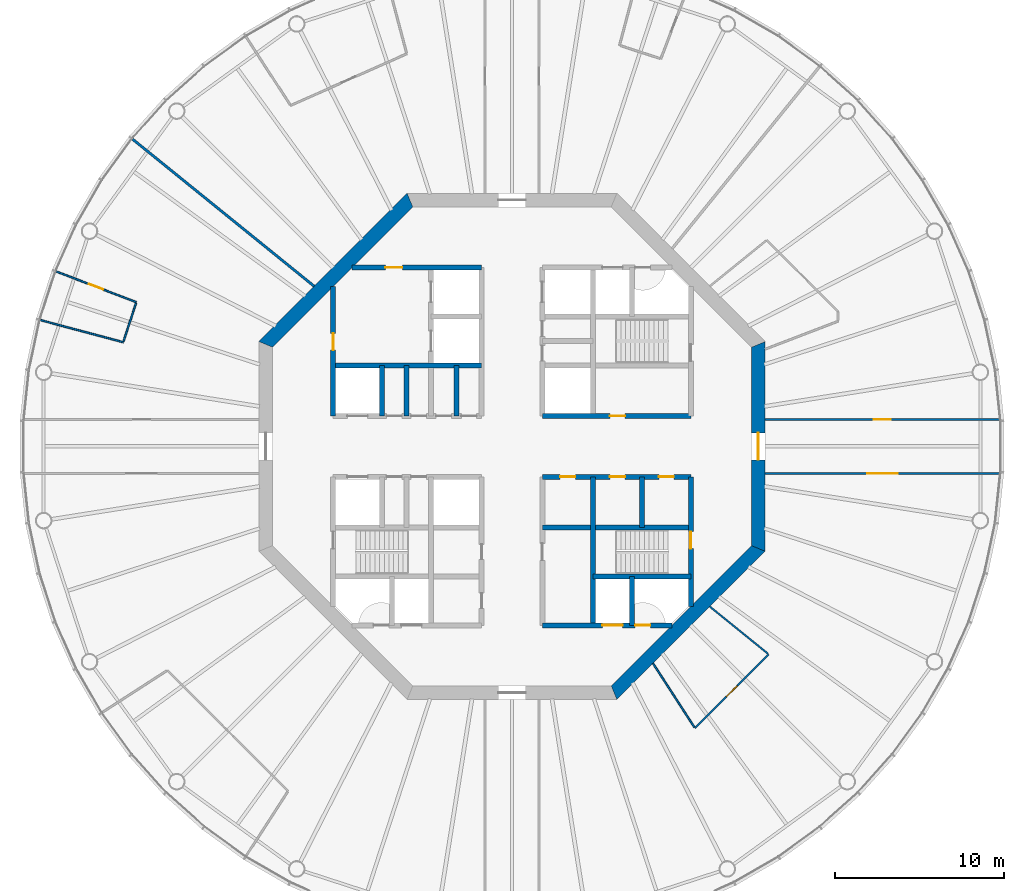
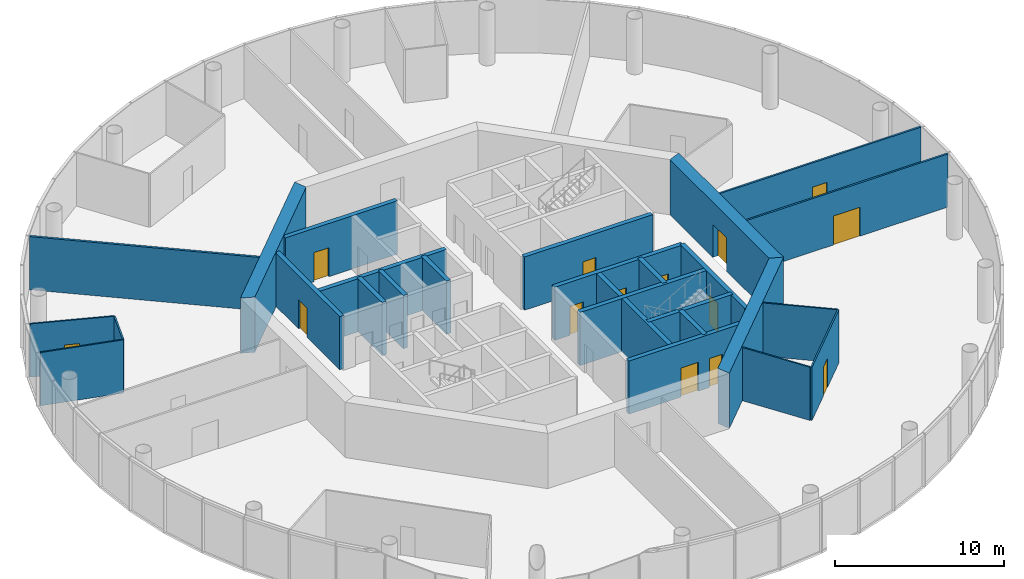
# One storey, part 4 of 13: 27 walls, 14 doors, 14 openings.
"""IFC4 building model written with IfcOpenShell, lengths in metres."""

from ifc_helpers import new_model, si_unit, direction, frame, frame_2d, origin, place, context, subcontext, project, spatial, polyline, rectangle, outline, extrude, material, layer, layer_set, type_object, element, fill, save


model = new_model("IFC4")

# Units and contexts
model_context = context("Model", 3, precision=1e-05, world=origin(), true_north=direction((0.0, 1.0)))
body_context = subcontext(model_context, "Body", "Model", "MODEL_VIEW")
ifc_project = project(units=[si_unit("LENGTHUNIT", "METRE"), si_unit("AREAUNIT", "SQUARE_METRE"), si_unit("VOLUMEUNIT", "CUBIC_METRE"), si_unit("PLANEANGLEUNIT", "RADIAN"), si_unit("MASSUNIT", "GRAM", prefix="KILO")], contexts=[model_context])

# Site, building, storey
site_placement = place(None, origin())
site = spatial("IfcSite", under=ifc_project, at=site_placement, CompositionType="ELEMENT")
building_placement = place(site_placement, origin())
building = spatial("IfcBuilding", under=site, at=building_placement, Name="Entoto Ring Tower", CompositionType="ELEMENT")
storey_placement = place(building_placement, frame((0.0, 0.0, 278.0)))
storey = spatial("IfcBuildingStorey", under=building, at=storey_placement, Name="L63", CompositionType="ELEMENT", Elevation=278.0)

# Wall, opening, door
ifc_material_1 = material(Name="Concrete C40/50", Category="concrete")
ifc_layer_1 = layer(ifc_material_1, 0.300048828125)
ifc_layer_set_1 = layer_set([ifc_layer_1], Name="Concrete C40/50")
wall_type_1 = type_object("IfcWallType", Name="Core enclosure wall 300 mm reinforced concrete", PredefinedType="SOLIDWALL", material=ifc_layer_set_1)
wall_1_placement = place(storey_placement, frame((100.60009765625, 70.518310546875, 0.0), z_axis=(0.0, 0.0, 1.0), x_axis=(0.0, 1.0, 0.0)))
wall_1 = element("IfcWall", 1, at=wall_1_placement, inside=storey, type_object=wall_type_1, Name="wall-L63-001", PredefinedType="SOLIDWALL", context=body_context, shape_type="SweptSolid", body=[
    extrude(rectangle(XDim=7.681640625, YDim=0.300048828125, at=frame_2d((3.8408203125, 0.0))), origin(), (0.0, 0.0, 1.0), 3.85009765625),
])
opening_1_placement = place(wall_1_placement, frame((3.431884765625, 0.0, 0.0)))
opening_1 = element("IfcOpeningElement", 2, at=opening_1_placement, cuts=wall_1, Name="Opening K-28", PredefinedType="OPENING", context=body_context, shape_type="SweptSolid", body=[
    extrude(rectangle(XDim=1.0, YDim=2.10009765625, at=frame_2d((0.5, 1.050048828125))), frame((0.0, 0.16015625, 0.0), z_axis=(0.0, -1.0, 0.0), x_axis=(1.0, 0.0, 0.0)), (0.0, 0.0, 1.0), 0.320068359375),
])
ifc_material_2 = material(Name="Steel door leaf, fire rated", Category="steel")
ifc_layer_2 = layer(ifc_material_2, 0.050048828125)
ifc_layer_set_2 = layer_set([ifc_layer_2], Name="Steel door leaf, fire rated")
door_type_1 = type_object("IfcDoorType", Name="Fire door FD60 1000 x 2100 single leaf", OperationType="NOTDEFINED", PredefinedType="DOOR", material=ifc_layer_set_2)
door_1_placement = place(opening_1_placement, origin())
door_1 = element("IfcDoor", 3, at=door_1_placement, inside=storey, type_object=door_type_1, Name="Door K-28", OperationType="SINGLE_SWING_RIGHT", OverallHeight=2.10009765625, OverallWidth=1.0, PredefinedType="DOOR", context=body_context, shape_type="SweptSolid", body=[
    extrude(rectangle(XDim=1.0, YDim=2.10009765625, at=frame_2d((0.5, 1.050048828125))), frame((0.0, 0.02490234375, 0.0), z_axis=(0.0, -1.0, 0.0), x_axis=(1.0, 0.0, 0.0)), (0.0, 0.0, 1.0), 0.050048828125),
])
fill(opening_1, door_1)

# Walls
wall_2_placement = place(storey_placement, frame((97.699951171875, 75.199951171875, 0.0), z_axis=(0.0, 0.0, 1.0), x_axis=(0.0, 1.0, 0.0)))
element("IfcWall", 4, at=wall_2_placement, inside=storey, type_object=wall_type_1, Name="wall-L63-003", PredefinedType="SOLIDWALL", context=body_context, shape_type="SweptSolid", body=[
    extrude(rectangle(XDim=3.0, YDim=0.300048828125, at=frame_2d((1.5, 0.0))), origin(), (0.0, 0.0, 1.0), 3.85009765625),
])
wall_3_placement = place(storey_placement, frame((97.10009765625, 69.39990234375, 0.0), z_axis=(0.0, 0.0, 1.0), x_axis=(0.0, 1.0, 0.0)))
element("IfcWall", 5, at=wall_3_placement, inside=storey, type_object=wall_type_1, Name="wall-L63-004", PredefinedType="SOLIDWALL", context=body_context, shape_type="SweptSolid", body=[
    extrude(rectangle(XDim=2.900146484375, YDim=0.300048828125, at=frame_2d((1.4501953125, 0.0))), origin(), (0.0, 0.0, 1.0), 3.85009765625),
])
wall_4_placement = place(storey_placement, frame((94.800048828125, 69.39990234375, 0.0), z_axis=(0.0, 0.0, 1.0), x_axis=(0.0, 1.0, 0.0)))
element("IfcWall", 6, at=wall_4_placement, inside=storey, type_object=wall_type_1, Name="wall-L63-006", PredefinedType="SOLIDWALL", context=body_context, shape_type="SweptSolid", body=[
    extrude(rectangle(XDim=8.800048828125, YDim=0.300048828125, at=frame_2d((4.39990234375, 0.0))), origin(), (0.0, 0.0, 1.0), 3.85009765625),
])
for number, where, z_axis, x_axis, name in (
    (7, (86.699951171875, 81.800048828125, 0.0), (0.0, 0.0, 1.0), (0.0, 1.0, 0.0), "wall-L63-012"),
    (8, (83.75, 81.800048828125, 0.0), (0.0, 0.0, 1.0), (0.0, 1.0, 0.0), "wall-L63-016"),
    (9, (82.300048828125, 81.800048828125, 0.0), (0.0, 0.0, 1.0), (0.0, 1.0, 0.0), "wall-L63-019"),
):
    element("IfcWall", number, at=place(storey_placement, frame(where, z_axis=z_axis, x_axis=x_axis)), inside=storey, type_object=wall_type_1, Name=name, PredefinedType="SOLIDWALL", context=body_context, shape_type="SweptSolid", body=[
        extrude(rectangle(XDim=3.0, YDim=0.300048828125, at=frame_2d((1.5, 0.0))), origin(), (0.0, 0.0, 1.0), 3.85009765625),
    ])

# Wall, opening, door
wall_5_placement = place(storey_placement, frame((79.39990234375, 81.800048828125, 0.0), z_axis=(0.0, 0.0, 1.0), x_axis=(0.0, 1.0, 0.0)))
wall_5 = element("IfcWall", 10, at=wall_5_placement, inside=storey, type_object=wall_type_1, Name="wall-L63-021", PredefinedType="SOLIDWALL", context=body_context, shape_type="SweptSolid", body=[
    extrude(rectangle(XDim=7.681640625, YDim=0.300048828125, at=frame_2d((3.8408203125, 0.0))), origin(), (0.0, 0.0, 1.0), 3.85009765625),
])
opening_2_placement = place(wall_5_placement, frame((3.89990234375, 0.0, 0.0)))
opening_2 = element("IfcOpeningElement", 11, at=opening_2_placement, cuts=wall_5, Name="Opening K-86", PredefinedType="OPENING", context=body_context, shape_type="SweptSolid", body=[
    extrude(rectangle(XDim=1.0, YDim=2.10009765625, at=frame_2d((0.5, 1.050048828125))), frame((0.0, 0.16015625, 0.0), z_axis=(0.0, -1.0, 0.0), x_axis=(1.0, 0.0, 0.0)), (0.0, 0.0, 1.0), 0.320068359375),
])
door_2_placement = place(opening_2_placement, frame((1.0, 0.0, 0.0), z_axis=(0.0, 0.0, 1.0), x_axis=(-1.0, 0.0, 0.0)))
door_2 = element("IfcDoor", 12, at=door_2_placement, inside=storey, type_object=door_type_1, Name="Door K-86", OperationType="SINGLE_SWING_RIGHT", OverallHeight=2.10009765625, OverallWidth=1.0, PredefinedType="DOOR", context=body_context, shape_type="SweptSolid", body=[
    extrude(rectangle(XDim=1.0, YDim=2.10009765625, at=frame_2d((0.5, 1.050048828125))), frame((0.0, 0.02490234375, 0.0), z_axis=(0.0, -1.0, 0.0), x_axis=(1.0, 0.0, 0.0)), (0.0, 0.0, 1.0), 0.050048828125),
])
fill(opening_2, door_2)

# Wall, openings, doors
wall_6_placement = place(storey_placement, frame((91.800048828125, 69.39990234375, 0.0), z_axis=(0.0, 0.0, 1.0), x_axis=(1.0, 0.0, 0.0)))
wall_6 = element("IfcWall", 13, at=wall_6_placement, inside=storey, type_object=wall_type_1, Name="wall-L63-023", PredefinedType="SOLIDWALL", context=body_context, shape_type="SweptSolid", body=[
    extrude(rectangle(XDim=7.681640625, YDim=0.300048828125, at=frame_2d((3.8408203125, 0.0))), origin(), (0.0, 0.0, 1.0), 3.85009765625),
])
opening_3_placement = place(wall_6_placement, frame((3.550048828125, 0.0, 0.0)))
opening_3 = element("IfcOpeningElement", 14, at=opening_3_placement, cuts=wall_6, Name="Opening LD", PredefinedType="OPENING", context=body_context, shape_type="SweptSolid", body=[
    extrude(rectangle(XDim=1.199951171875, YDim=2.10009765625, at=frame_2d((0.60009765625, 1.050048828125))), frame((0.0, 0.16015625, 0.0), z_axis=(0.0, -1.0, 0.0), x_axis=(1.0, 0.0, 0.0)), (0.0, 0.0, 1.0), 0.320068359375),
])
opening_4_placement = place(wall_6_placement, frame((5.5, 0.0, 0.0)))
opening_4 = element("IfcOpeningElement", 15, at=opening_4_placement, cuts=wall_6, Name="Opening K-85", PredefinedType="OPENING", context=body_context, shape_type="SweptSolid", body=[
    extrude(rectangle(XDim=0.89990234375, YDim=2.10009765625, at=frame_2d((0.449951171875, 1.050048828125))), frame((0.0, 0.16015625, 0.0), z_axis=(0.0, -1.0, 0.0), x_axis=(1.0, 0.0, 0.0)), (0.0, 0.0, 1.0), 0.320068359375),
])
ifc_material_3 = material(Name="Steel and glass door leaf", Category="steel")
ifc_layer_3 = layer(ifc_material_3, 0.050048828125)
ifc_layer_set_3 = layer_set([ifc_layer_3], Name="Steel and glass door leaf")
door_type_2 = type_object("IfcDoorType", Name="Landing door 1200 x 2100 sliding", OperationType="DOUBLE_DOOR_SLIDING", PredefinedType="DOOR", material=ifc_layer_set_3)
door_3_placement = place(opening_3_placement, origin())
door_3 = element("IfcDoor", 16, at=door_3_placement, inside=storey, type_object=door_type_2, Name="Landing door LB2-HR", OperationType="SLIDING_TO_RIGHT", OverallHeight=2.10009765625, OverallWidth=1.199951171875, PredefinedType="DOOR", context=body_context, shape_type="SweptSolid", body=[
    extrude(rectangle(XDim=1.199951171875, YDim=2.10009765625, at=frame_2d((0.60009765625, 1.050048828125))), frame((0.0, 0.02490234375, 0.0), z_axis=(0.0, -1.0, 0.0), x_axis=(1.0, 0.0, 0.0)), (0.0, 0.0, 1.0), 0.050048828125),
])
fill(opening_3, door_3)
ifc_material_4 = material(Name="Steel door leaf, fire rated", Category="steel")
ifc_layer_4 = layer(ifc_material_4, 0.050048828125)
ifc_layer_set_4 = layer_set([ifc_layer_4], Name="Steel door leaf, fire rated")
door_type_3 = type_object("IfcDoorType", Name="Riser door FD60 900 x 2100 single leaf", OperationType="NOTDEFINED", PredefinedType="DOOR", material=ifc_layer_set_4)
door_4_placement = place(opening_4_placement, origin())
door_4 = element("IfcDoor", 17, at=door_4_placement, inside=storey, type_object=door_type_3, Name="Door K-85", OperationType="SINGLE_SWING_LEFT", OverallHeight=2.10009765625, OverallWidth=0.89990234375, PredefinedType="DOOR", context=body_context, shape_type="SweptSolid", body=[
    extrude(rectangle(XDim=0.89990234375, YDim=2.10009765625, at=frame_2d((0.449951171875, 1.050048828125))), frame((0.0, 0.02490234375, 0.0), z_axis=(0.0, -1.0, 0.0), x_axis=(1.0, 0.0, 0.0)), (0.0, 0.0, 1.0), 0.050048828125),
])
fill(opening_4, door_4)

# Walls
wall_7_placement = place(storey_placement, frame((94.800048828125, 72.300048828125, 0.0), z_axis=(0.0, 0.0, 1.0), x_axis=(1.0, 0.0, 0.0)))
element("IfcWall", 18, at=wall_7_placement, inside=storey, type_object=wall_type_1, Name="wall-L63-025", PredefinedType="SOLIDWALL", context=body_context, shape_type="SweptSolid", body=[
    extrude(rectangle(XDim=5.800048828125, YDim=0.300048828125, at=frame_2d((2.89990234375, 0.0))), origin(), (0.0, 0.0, 1.0), 3.85009765625),
])
wall_8_placement = place(storey_placement, frame((91.800048828125, 75.199951171875, 0.0), z_axis=(0.0, 0.0, 1.0), x_axis=(1.0, 0.0, 0.0)))
element("IfcWall", 19, at=wall_8_placement, inside=storey, type_object=wall_type_1, Name="wall-L63-027", PredefinedType="SOLIDWALL", context=body_context, shape_type="SweptSolid", body=[
    extrude(rectangle(XDim=8.800048828125, YDim=0.300048828125, at=frame_2d((4.39990234375, 0.0))), origin(), (0.0, 0.0, 1.0), 3.85009765625),
])

# Wall, openings, doors
wall_9_placement = place(storey_placement, frame((91.800048828125, 78.199951171875, 0.0), z_axis=(0.0, 0.0, 1.0), x_axis=(1.0, 0.0, 0.0)))
wall_9 = element("IfcWall", 20, at=wall_9_placement, inside=storey, type_object=wall_type_1, Name="wall-L63-029", PredefinedType="SOLIDWALL", context=body_context, shape_type="SweptSolid", body=[
    extrude(rectangle(XDim=8.800048828125, YDim=0.300048828125, at=frame_2d((4.39990234375, 0.0))), origin(), (0.0, 0.0, 1.0), 3.85009765625),
])
opening_5_placement = place(wall_9_placement, frame((4.0, 0.0, 0.0)))
opening_5 = element("IfcOpeningElement", 21, at=opening_5_placement, cuts=wall_9, Name="Opening K-14", PredefinedType="OPENING", context=body_context, shape_type="SweptSolid", body=[
    extrude(rectangle(XDim=0.89990234375, YDim=2.10009765625, at=frame_2d((0.449951171875, 1.050048828125))), frame((0.0, 0.16015625, 0.0), z_axis=(0.0, -1.0, 0.0), x_axis=(1.0, 0.0, 0.0)), (0.0, 0.0, 1.0), 0.320068359375),
])
opening_6_placement = place(wall_9_placement, frame((6.89990234375, 0.0, 0.0)))
opening_6 = element("IfcOpeningElement", 22, at=opening_6_placement, cuts=wall_9, Name="Opening K-15", PredefinedType="OPENING", context=body_context, shape_type="SweptSolid", body=[
    extrude(rectangle(XDim=0.89990234375, YDim=2.10009765625, at=frame_2d((0.449951171875, 1.050048828125))), frame((0.0, 0.16015625, 0.0), z_axis=(0.0, -1.0, 0.0), x_axis=(1.0, 0.0, 0.0)), (0.0, 0.0, 1.0), 0.320068359375),
])
opening_7_placement = place(wall_9_placement, frame((1.050048828125, 0.0, 0.0)))
opening_7 = element("IfcOpeningElement", 23, at=opening_7_placement, cuts=wall_9, Name="Opening K-25", PredefinedType="OPENING", context=body_context, shape_type="SweptSolid", body=[
    extrude(rectangle(XDim=0.89990234375, YDim=2.10009765625, at=frame_2d((0.449951171875, 1.050048828125))), frame((0.0, 0.16015625, 0.0), z_axis=(0.0, -1.0, 0.0), x_axis=(1.0, 0.0, 0.0)), (0.0, 0.0, 1.0), 0.320068359375),
])
ifc_material_5 = material(Name="Steel door leaf, fire rated", Category="steel")
ifc_layer_5 = layer(ifc_material_5, 0.050048828125)
ifc_layer_set_5 = layer_set([ifc_layer_5], Name="Steel door leaf, fire rated")
door_type_4 = type_object("IfcDoorType", Name="Core door 900 x 2100 single leaf", OperationType="NOTDEFINED", PredefinedType="DOOR", material=ifc_layer_set_5)
door_5_placement = place(opening_5_placement, frame((0.89990234375, 0.0, 0.0), z_axis=(0.0, 0.0, 1.0), x_axis=(-1.0, 0.0, 0.0)))
door_5 = element("IfcDoor", 24, at=door_5_placement, inside=storey, type_object=door_type_4, Name="Door K-14", OperationType="SINGLE_SWING_RIGHT", OverallHeight=2.10009765625, OverallWidth=0.89990234375, PredefinedType="DOOR", context=body_context, shape_type="SweptSolid", body=[
    extrude(rectangle(XDim=0.89990234375, YDim=2.10009765625, at=frame_2d((0.449951171875, 1.050048828125))), frame((0.0, 0.02490234375, 0.0), z_axis=(0.0, -1.0, 0.0), x_axis=(1.0, 0.0, 0.0)), (0.0, 0.0, 1.0), 0.050048828125),
])
fill(opening_5, door_5)
door_6_placement = place(opening_6_placement, frame((0.89990234375, 0.0, 0.0), z_axis=(0.0, 0.0, 1.0), x_axis=(-1.0, 0.0, 0.0)))
door_6 = element("IfcDoor", 25, at=door_6_placement, inside=storey, type_object=door_type_4, Name="Door K-15", OperationType="SINGLE_SWING_LEFT", OverallHeight=2.10009765625, OverallWidth=0.89990234375, PredefinedType="DOOR", context=body_context, shape_type="SweptSolid", body=[
    extrude(rectangle(XDim=0.89990234375, YDim=2.10009765625, at=frame_2d((0.449951171875, 1.050048828125))), frame((0.0, 0.02490234375, 0.0), z_axis=(0.0, -1.0, 0.0), x_axis=(1.0, 0.0, 0.0)), (0.0, 0.0, 1.0), 0.050048828125),
])
fill(opening_6, door_6)
door_7_placement = place(opening_7_placement, frame((0.89990234375, 0.0, 0.0), z_axis=(0.0, 0.0, 1.0), x_axis=(-1.0, 0.0, 0.0)))
door_7 = element("IfcDoor", 26, at=door_7_placement, inside=storey, type_object=door_type_4, Name="Door K-25", OperationType="SINGLE_SWING_RIGHT", OverallHeight=2.10009765625, OverallWidth=0.89990234375, PredefinedType="DOOR", context=body_context, shape_type="SweptSolid", body=[
    extrude(rectangle(XDim=0.89990234375, YDim=2.10009765625, at=frame_2d((0.449951171875, 1.050048828125))), frame((0.0, 0.02490234375, 0.0), z_axis=(0.0, -1.0, 0.0), x_axis=(1.0, 0.0, 0.0)), (0.0, 0.0, 1.0), 0.050048828125),
])
fill(opening_7, door_7)

# Wall, opening, door
wall_10_placement = place(storey_placement, frame((91.800048828125, 81.800048828125, 0.0), z_axis=(0.0, 0.0, 1.0), x_axis=(1.0, 0.0, 0.0)))
wall_10 = element("IfcWall", 27, at=wall_10_placement, inside=storey, type_object=wall_type_1, Name="wall-L63-031", PredefinedType="SOLIDWALL", context=body_context, shape_type="SweptSolid", body=[
    extrude(rectangle(XDim=8.800048828125, YDim=0.300048828125, at=frame_2d((4.39990234375, 0.0))), origin(), (0.0, 0.0, 1.0), 3.85009765625),
])
opening_8_placement = place(wall_10_placement, frame((4.0, 0.0, 0.0)))
opening_8 = element("IfcOpeningElement", 28, at=opening_8_placement, cuts=wall_10, Name="Opening K-11", PredefinedType="OPENING", context=body_context, shape_type="SweptSolid", body=[
    extrude(rectangle(XDim=0.89990234375, YDim=2.10009765625, at=frame_2d((0.449951171875, 1.050048828125))), frame((0.0, 0.16015625, 0.0), z_axis=(0.0, -1.0, 0.0), x_axis=(1.0, 0.0, 0.0)), (0.0, 0.0, 1.0), 0.320068359375),
])
door_8_placement = place(opening_8_placement, origin())
door_8 = element("IfcDoor", 29, at=door_8_placement, inside=storey, type_object=door_type_4, Name="Door K-11", OperationType="SINGLE_SWING_LEFT", OverallHeight=2.10009765625, OverallWidth=0.89990234375, PredefinedType="DOOR", context=body_context, shape_type="SweptSolid", body=[
    extrude(rectangle(XDim=0.89990234375, YDim=2.10009765625, at=frame_2d((0.449951171875, 1.050048828125))), frame((0.0, 0.02490234375, 0.0), z_axis=(0.0, -1.0, 0.0), x_axis=(1.0, 0.0, 0.0)), (0.0, 0.0, 1.0), 0.050048828125),
])
fill(opening_8, door_8)

# Wall
wall_11_placement = place(storey_placement, frame((79.39990234375, 84.800048828125, 0.0), z_axis=(0.0, 0.0, 1.0), x_axis=(1.0, 0.0, 0.0)))
element("IfcWall", 30, at=wall_11_placement, inside=storey, type_object=wall_type_1, Name="wall-L63-032", PredefinedType="SOLIDWALL", context=body_context, shape_type="SweptSolid", body=[
    extrude(rectangle(XDim=8.800048828125, YDim=0.300048828125, at=frame_2d((4.39990234375, 0.0))), origin(), (0.0, 0.0, 1.0), 3.85009765625),
])

# Wall, opening, door
wall_12_placement = place(storey_placement, frame((80.518310546875, 90.60009765625, 0.0), z_axis=(0.0, 0.0, 1.0), x_axis=(1.0, 0.0, 0.0)))
wall_12 = element("IfcWall", 31, at=wall_12_placement, inside=storey, type_object=wall_type_1, Name="wall-L63-037", PredefinedType="SOLIDWALL", context=body_context, shape_type="SweptSolid", body=[
    extrude(rectangle(XDim=7.681640625, YDim=0.300048828125, at=frame_2d((3.8408203125, 0.0))), origin(), (0.0, 0.0, 1.0), 3.85009765625),
])
opening_9_placement = place(wall_12_placement, frame((1.981689453125, 0.0, 0.0)))
opening_9 = element("IfcOpeningElement", 32, at=opening_9_placement, cuts=wall_12, Name="Opening K-87", PredefinedType="OPENING", context=body_context, shape_type="SweptSolid", body=[
    extrude(rectangle(XDim=1.0, YDim=2.10009765625, at=frame_2d((0.5, 1.050048828125))), frame((0.0, 0.16015625, 0.0), z_axis=(0.0, -1.0, 0.0), x_axis=(1.0, 0.0, 0.0)), (0.0, 0.0, 1.0), 0.320068359375),
])
door_9_placement = place(opening_9_placement, frame((1.0, 0.0, 0.0), z_axis=(0.0, 0.0, 1.0), x_axis=(-1.0, 0.0, 0.0)))
door_9 = element("IfcDoor", 33, at=door_9_placement, inside=storey, type_object=door_type_1, Name="Door K-87", OperationType="SINGLE_SWING_LEFT", OverallHeight=2.10009765625, OverallWidth=1.0, PredefinedType="DOOR", context=body_context, shape_type="SweptSolid", body=[
    extrude(rectangle(XDim=1.0, YDim=2.10009765625, at=frame_2d((0.5, 1.050048828125))), frame((0.0, 0.02490234375, 0.0), z_axis=(0.0, -1.0, 0.0), x_axis=(1.0, 0.0, 0.0)), (0.0, 0.0, 1.0), 0.050048828125),
])
fill(opening_9, door_9)

ifc_material_6 = material(Name="Concrete C40/50", Category="concrete")
ifc_layer_6 = layer(ifc_material_6, 0.800048828125)
ifc_layer_set_6 = layer_set([ifc_layer_6], Name="Concrete C40/50")
wall_type_2 = type_object("IfcWallType", Name="Core shear wall 800 mm reinforced concrete C40/50", PredefinedType="SHEAR", material=ifc_layer_set_6)
wall_13_placement = place(storey_placement, frame((104.60009765625, 73.952392578125, 0.0), z_axis=(0.0, 0.0, 1.0), x_axis=(0.0, 1.0, 0.0)))
wall_13 = element("IfcWall", 34, at=wall_13_placement, inside=storey, type_object=wall_type_2, Name="wall-L63-core-0", PredefinedType="SHEAR", context=body_context, shape_type="SweptSolid", body=[
    extrude(outline(polyline([(-0.165771484375, -0.39990234375), (12.260986328125, -0.39990234375), (11.929443359375, 0.39990234375), (0.165771484375, 0.39990234375), (-0.165771484375, -0.39990234375)])), origin(), (0.0, 0.0, 1.0), 4.0),
])
opening_10_placement = place(wall_13_placement, frame((5.24755859375, 0.0, 0.0)))
opening_10 = element("IfcOpeningElement", 35, at=opening_10_placement, cuts=wall_13, Name="Opening K-01", PredefinedType="OPENING", context=body_context, shape_type="SweptSolid", body=[
    extrude(rectangle(XDim=1.60009765625, YDim=2.39990234375, at=frame_2d((0.800048828125, 1.199951171875))), frame((0.0, 0.41015625, 0.0), z_axis=(0.0, -1.0, 0.0), x_axis=(1.0, 0.0, 0.0)), (0.0, 0.0, 1.0), 0.820068359375),
])
ifc_material_7 = material(Name="Steel door leaf, fire rated", Category="steel")
ifc_layer_7 = layer(ifc_material_7, 0.050048828125)
ifc_layer_set_7 = layer_set([ifc_layer_7], Name="Steel door leaf, fire rated")
door_type_5 = type_object("IfcDoorType", Name="Entrance door FD60 1600 x 2400 double leaf", OperationType="DOUBLE_DOOR_SINGLE_SWING", PredefinedType="DOOR", material=ifc_layer_set_7)
door_10_placement = place(opening_10_placement, origin())
door_10 = element("IfcDoor", 36, at=door_10_placement, inside=storey, type_object=door_type_5, Name="Entrance door K-01", OperationType="DOUBLE_DOOR_SINGLE_SWING", OverallHeight=2.39990234375, OverallWidth=1.60009765625, PredefinedType="DOOR", context=body_context, shape_type="SweptSolid", body=[
    extrude(rectangle(XDim=1.60009765625, YDim=2.39990234375, at=frame_2d((0.800048828125, 1.199951171875))), frame((0.0, 0.02490234375, 0.0), z_axis=(0.0, -1.0, 0.0), x_axis=(1.0, 0.0, 0.0)), (0.0, 0.0, 1.0), 0.050048828125),
])
fill(opening_10, door_10)

# Walls
for number, where, z_axis, x_axis, name in (
    (37, (83.952392578125, 94.60009765625, 0.0), (0.0, 0.0, 1.0), (-0.707106781187, -0.707106781187, 0.0), "wall-L63-core-3"),
    (38, (96.047607421875, 65.39990234375, 0.0), (0.0, 0.0, 1.0), (0.707106781187, 0.707106781187, 0.0), "wall-L63-core-7"),
):
    element("IfcWall", number, at=place(storey_placement, frame(where, z_axis=z_axis, x_axis=x_axis)), inside=storey, type_object=wall_type_2, Name=name, PredefinedType="SHEAR", context=body_context, shape_type="SweptSolid", body=[
        extrude(outline(polyline([(-0.165771484375, -0.39990234375), (12.2607421875, -0.39990234375), (11.92919921875, 0.39990234375), (0.165771484375, 0.39990234375), (-0.165771484375, -0.39990234375)])), origin(), (0.0, 0.0, 1.0), 4.0),
    ])

# Wall, opening, door
ifc_material_8 = material(Name="Fire-resisting plasterboard on steel studs", Category="steel")
ifc_layer_8 = layer(ifc_material_8, 0.125)
ifc_layer_set_8 = layer_set([ifc_layer_8], Name="Fire-resisting plasterboard on steel studs")
wall_type_3 = type_object("IfcWallType", Name="Corridor wall 125 mm one-hour plasterboard on steel studs", PredefinedType="PARTITIONING", material=ifc_layer_set_8)
wall_14_placement = place(storey_placement, frame((105.0, 78.39990234375, 0.0), z_axis=(0.0, 0.0, 1.0), x_axis=(1.0, 0.0, 0.0)))
wall_14 = element("IfcWall", 39, at=wall_14_placement, inside=storey, type_object=wall_type_3, Name="partition-L63-007", PredefinedType="PARTITIONING", context=body_context, shape_type="SweptSolid", body=[
    extrude(rectangle(XDim=13.891357421875, YDim=0.125, at=frame_2d((6.94580078125, 0.0))), origin(), (0.0, 0.0, 1.0), 3.85009765625),
])
opening_11_placement = place(wall_14_placement, frame((6.045654296875, 0.0, 0.0)))
opening_11 = element("IfcOpeningElement", 40, at=opening_11_placement, cuts=wall_14, Name="Opening A28-D11", PredefinedType="OPENING", context=body_context, shape_type="SweptSolid", body=[
    extrude(rectangle(XDim=1.800048828125, YDim=2.10009765625, at=frame_2d((0.89990234375, 1.050048828125))), frame((0.0, 0.072509765625, 0.0), z_axis=(0.0, -1.0, 0.0), x_axis=(1.0, 0.0, 0.0)), (0.0, 0.0, 1.0), 0.14501953125),
])
ifc_material_9 = material(Name="Fire-resisting timber door set", Category="wood")
door_type_6 = type_object("IfcDoorType", Name="Door 1800 x 2100 double leaf FD30S fire door", OperationType="DOUBLE_DOOR_SINGLE_SWING", PredefinedType="DOOR", material=ifc_material_9)
door_11_placement = place(opening_11_placement, frame((1.800048828125, 0.0, 0.0), z_axis=(0.0, 0.0, 1.0), x_axis=(-1.0, 0.0, 0.0)))
door_11 = element("IfcDoor", 41, at=door_11_placement, inside=storey, type_object=door_type_6, Name="Door A28-D11", OperationType="DOUBLE_DOOR_SINGLE_SWING", OverallHeight=2.10009765625, OverallWidth=1.800048828125, PredefinedType="DOOR", context=body_context, shape_type="SweptSolid", body=[
    extrude(rectangle(XDim=1.800048828125, YDim=2.10009765625, at=frame_2d((0.89990234375, 1.050048828125))), frame((0.0, 0.02490234375, 0.0), z_axis=(0.0, -1.0, 0.0), x_axis=(1.0, 0.0, 0.0)), (0.0, 0.0, 1.0), 0.050048828125),
])
fill(opening_11, door_11)

wall_15_placement = place(storey_placement, frame((105.0, 81.60009765625, 0.0), z_axis=(0.0, 0.0, 1.0), x_axis=(1.0, 0.0, 0.0)))
wall_15 = element("IfcWall", 42, at=wall_15_placement, inside=storey, type_object=wall_type_3, Name="partition-L63-008", PredefinedType="PARTITIONING", context=body_context, shape_type="SweptSolid", body=[
    extrude(rectangle(XDim=13.891357421875, YDim=0.125, at=frame_2d((6.94580078125, 0.0))), origin(), (0.0, 0.0, 1.0), 3.85009765625),
])
opening_12_placement = place(wall_15_placement, frame((6.44580078125, 0.0, 0.0)))
opening_12 = element("IfcOpeningElement", 43, at=opening_12_placement, cuts=wall_15, Name="Opening A28-D01", PredefinedType="OPENING", context=body_context, shape_type="SweptSolid", body=[
    extrude(rectangle(XDim=1.0, YDim=2.10009765625, at=frame_2d((0.5, 1.050048828125))), frame((0.0, 0.072509765625, 0.0), z_axis=(0.0, -1.0, 0.0), x_axis=(1.0, 0.0, 0.0)), (0.0, 0.0, 1.0), 0.14501953125),
])
ifc_material_10 = material(Name="Fire-resisting timber door set", Category="wood")
door_type_7 = type_object("IfcDoorType", Name="Door 1000 x 2100 single leaf FD30S fire door", OperationType="NOTDEFINED", PredefinedType="DOOR", material=ifc_material_10)
door_12_placement = place(opening_12_placement, origin())
door_12 = element("IfcDoor", 44, at=door_12_placement, inside=storey, type_object=door_type_7, Name="Door A28-D01", OperationType="SINGLE_SWING_RIGHT", OverallHeight=2.10009765625, OverallWidth=1.0, PredefinedType="DOOR", context=body_context, shape_type="SweptSolid", body=[
    extrude(rectangle(XDim=1.0, YDim=2.10009765625, at=frame_2d((0.5, 1.050048828125))), frame((0.0, 0.02490234375, 0.0), z_axis=(0.0, -1.0, 0.0), x_axis=(1.0, 0.0, 0.0)), (0.0, 0.0, 1.0), 0.050048828125),
])
fill(opening_12, door_12)

ifc_material_11 = material(Name="Plasterboard on steel studs", Category="steel")
ifc_layer_9 = layer(ifc_material_11, 0.10009765625)
ifc_layer_set_9 = layer_set([ifc_layer_9], Name="Plasterboard on steel studs")
wall_type_4 = type_object("IfcWallType", Name="Partition 100 mm plasterboard on steel studs", PredefinedType="PARTITIONING", material=ifc_layer_set_9)
wall_16_placement = place(storey_placement, frame((100.841064453125, 63.306396484375, 0.0), z_axis=(0.0, 0.0, 1.0), x_axis=(0.707106781187, 0.707106781187, 0.0)))
wall_16 = element("IfcWall", 45, at=wall_16_placement, inside=storey, type_object=wall_type_4, Name="partition-L63-013", PredefinedType="PARTITIONING", context=body_context, shape_type="SweptSolid", body=[
    extrude(rectangle(XDim=6.184814453125, YDim=0.10009765625, at=frame_2d((3.09228515625, 0.0))), origin(), (0.0, 0.0, 1.0), 3.85009765625),
])
opening_13_placement = place(wall_16_placement, frame((2.642333984375, 0.0, 0.0)))
opening_13 = element("IfcOpeningElement", 46, at=opening_13_placement, cuts=wall_16, Name="Opening A28-D12", PredefinedType="OPENING", context=body_context, shape_type="SweptSolid", body=[
    extrude(rectangle(XDim=0.89990234375, YDim=2.10009765625, at=frame_2d((0.449951171875, 1.050048828125))), frame((0.0, 0.06005859375, 0.0), z_axis=(0.0, -1.0, 0.0), x_axis=(1.0, 0.0, 0.0)), (0.0, 0.0, 1.0), 0.1201171875),
])
ifc_material_12 = material(Name="Veneered timber door leaf in timber frame", Category="wood")
door_type_8 = type_object("IfcDoorType", Name="Door 900 x 2100 single leaf timber veneer", OperationType="NOTDEFINED", PredefinedType="DOOR", material=ifc_material_12)
door_13_placement = place(opening_13_placement, origin())
door_13 = element("IfcDoor", 47, at=door_13_placement, inside=storey, type_object=door_type_8, Name="Door A28-D12", OperationType="SINGLE_SWING_LEFT", OverallHeight=2.10009765625, OverallWidth=0.89990234375, PredefinedType="DOOR", context=body_context, shape_type="SweptSolid", body=[
    extrude(rectangle(XDim=0.89990234375, YDim=2.10009765625, at=frame_2d((0.449951171875, 1.050048828125))), frame((0.0, 0.02490234375, 0.0), z_axis=(0.0, -1.0, 0.0), x_axis=(1.0, 0.0, 0.0)), (0.0, 0.0, 1.0), 0.050048828125),
])
fill(opening_13, door_13)

wall_17_placement = place(storey_placement, frame((67.734130859375, 88.547119140625, 0.0), z_axis=(0.0, 0.0, 1.0), x_axis=(-0.93358892458, 0.358345810498, 0.0)))
wall_17 = element("IfcWall", 48, at=wall_17_placement, inside=storey, type_object=wall_type_4, Name="partition-L63-015", PredefinedType="PARTITIONING", context=body_context, shape_type="SweptSolid", body=[
    extrude(rectangle(XDim=5.090087890625, YDim=0.10009765625, at=frame_2d((2.544921875, 0.0))), origin(), (0.0, 0.0, 1.0), 3.85009765625),
])
opening_14_placement = place(wall_17_placement, frame((2.094970703125, 0.0, 0.0)))
opening_14 = element("IfcOpeningElement", 49, at=opening_14_placement, cuts=wall_17, Name="Opening A28-D08", PredefinedType="OPENING", context=body_context, shape_type="SweptSolid", body=[
    extrude(rectangle(XDim=0.89990234375, YDim=2.10009765625, at=frame_2d((0.449951171875, 1.050048828125))), frame((0.0, 0.06005859375, 0.0), z_axis=(0.0, -1.0, 0.0), x_axis=(1.0, 0.0, 0.0)), (0.0, 0.0, 1.0), 0.1201171875),
])
door_14_placement = place(opening_14_placement, origin())
door_14 = element("IfcDoor", 50, at=door_14_placement, inside=storey, type_object=door_type_8, Name="Door A28-D08", OperationType="SINGLE_SWING_RIGHT", OverallHeight=2.10009765625, OverallWidth=0.89990234375, PredefinedType="DOOR", context=body_context, shape_type="SweptSolid", body=[
    extrude(rectangle(XDim=0.89990234375, YDim=2.10009765625, at=frame_2d((0.449951171875, 1.050048828125))), frame((0.0, 0.02490234375, 0.0), z_axis=(0.0, -1.0, 0.0), x_axis=(1.0, 0.0, 0.0)), (0.0, 0.0, 1.0), 0.050048828125),
])
fill(opening_14, door_14)

# Walls
wall_18_placement = place(storey_placement, frame((66.962646484375, 86.1728515625, 0.0), z_axis=(0.0, 0.0, 1.0), x_axis=(-0.965925356673, 0.258820797726, 0.0)))
element("IfcWall", 51, at=wall_18_placement, inside=storey, type_object=wall_type_4, Name="partition-L63-016", PredefinedType="PARTITIONING", context=body_context, shape_type="SweptSolid", body=[
    extrude(rectangle(XDim=5.08984375, YDim=0.10009765625, at=frame_2d((2.544921875, 0.0))), origin(), (0.0, 0.0, 1.0), 3.85009765625),
])
wall_19_placement = place(storey_placement, frame((100.8076171875, 63.35791015625, 0.0), z_axis=(0.0, 0.0, 1.0), x_axis=(-0.544662825307, 0.838655117869, 0.0)))
element("IfcWall", 52, at=wall_19_placement, inside=storey, type_object=wall_type_4, Name="partition-L63-022", PredefinedType="PARTITIONING", context=body_context, shape_type="SweptSolid", body=[
    extrude(rectangle(XDim=4.50830078125, YDim=0.10009765625, at=frame_2d((2.254150390625, 0.0))), origin(), (0.0, 0.0, 1.0), 3.85009765625),
])
wall_20_placement = place(storey_placement, frame((105.17138671875, 67.714599609375, 0.0), z_axis=(0.0, 0.0, 1.0), x_axis=(-0.77714752614, 0.629318458822, 0.0)))
element("IfcWall", 53, at=wall_20_placement, inside=storey, type_object=wall_type_4, Name="partition-L63-023", PredefinedType="PARTITIONING", context=body_context, shape_type="SweptSolid", body=[
    extrude(rectangle(XDim=4.439208984375, YDim=0.10009765625, at=frame_2d((2.2197265625, 0.0))), origin(), (0.0, 0.0, 1.0), 3.85009765625),
])
wall_21_placement = place(storey_placement, frame((66.97802734375, 86.22021484375, 0.0), z_axis=(0.0, 0.0, 1.0), x_axis=(0.309067645047, 0.951040057403, 0.0)))
element("IfcWall", 54, at=wall_21_placement, inside=storey, type_object=wall_type_4, Name="partition-L63-028", PredefinedType="PARTITIONING", context=body_context, shape_type="SweptSolid", body=[
    extrude(rectangle(XDim=2.396728515625, YDim=0.10009765625, at=frame_2d((1.1982421875, 0.0))), origin(), (0.0, 0.0, 1.0), 3.85009765625),
])
ifc_material_13 = material(Name="Fire-resisting acoustic plasterboard on steel studs", Category="steel")
ifc_layer_10 = layer(ifc_material_13, 0.14990234375)
ifc_layer_set_10 = layer_set([ifc_layer_10], Name="Fire-resisting acoustic plasterboard on steel studs")
wall_type_5 = type_object("IfcWallType", Name="Party wall 150 mm one-hour acoustic plasterboard on steel studs", PredefinedType="PARTITIONING", material=ifc_layer_set_10)
wall_22_placement = place(storey_placement, frame((78.278564453125, 89.49169921875, 0.0), z_axis=(0.0, 0.0, 1.0), x_axis=(-0.777142288207, 0.629324927109, 0.0)))
element("IfcWall", 55, at=wall_22_placement, inside=storey, type_object=wall_type_5, Name="partition-L63-009", PredefinedType="PARTITIONING", context=body_context, shape_type="SweptSolid", body=[
    extrude(rectangle(XDim=13.857177734375, YDim=0.14990234375, at=frame_2d((6.9287109375, 0.0))), origin(), (0.0, 0.0, 1.0), 3.85009765625),
])

save(model, "model.ifc")
